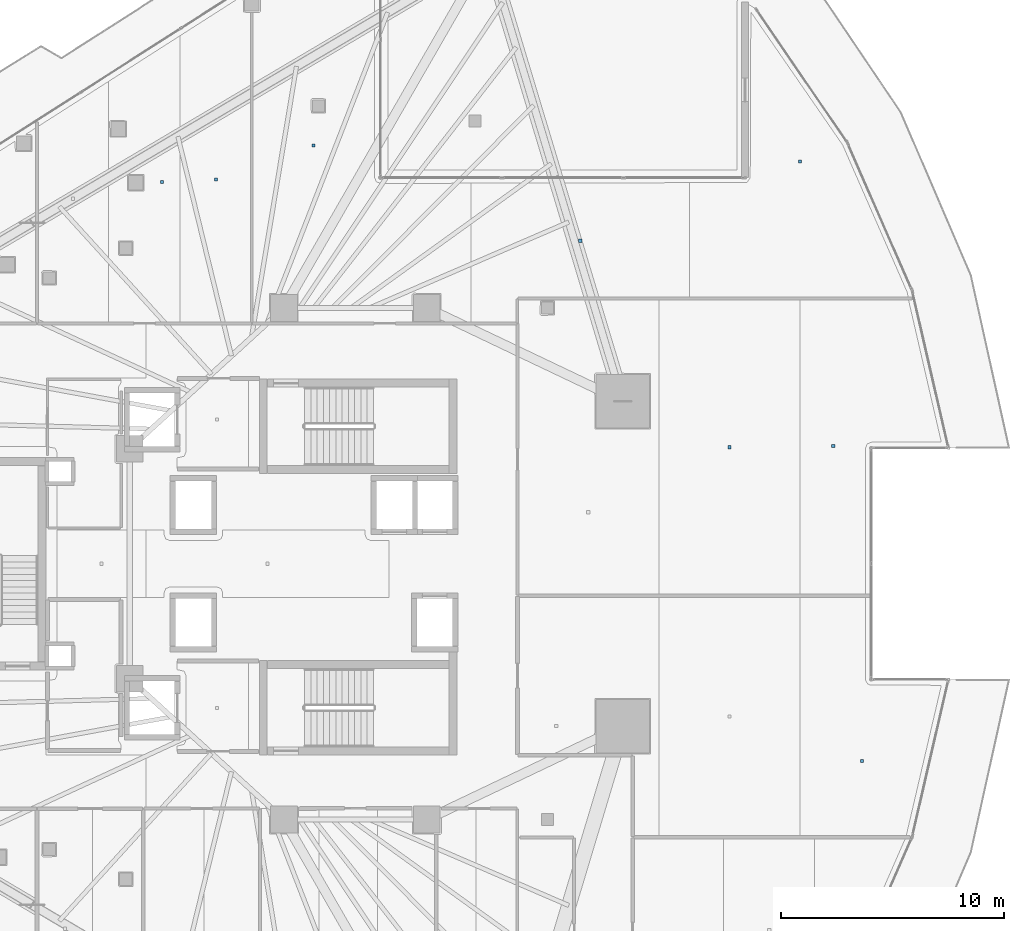
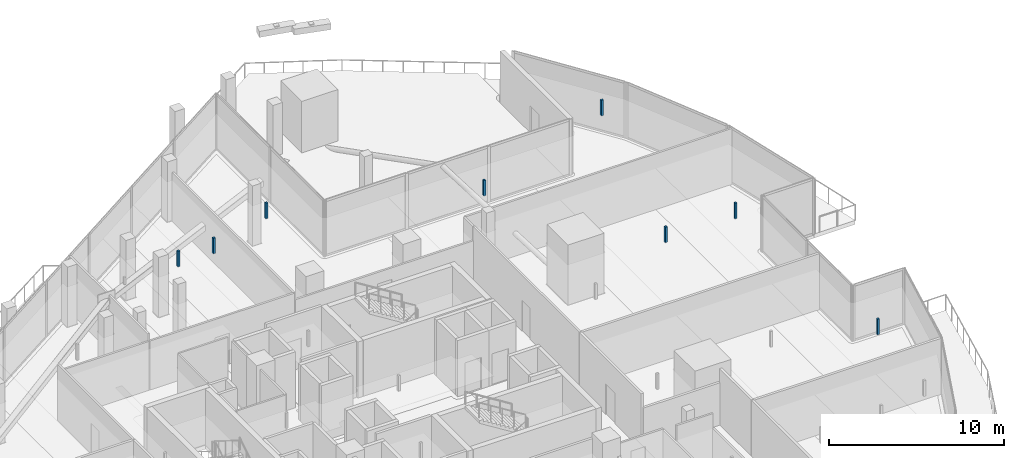
# One storey, part 37 of 47: 8 discrete accessories.
"""IFC4 building model written with IfcOpenShell, lengths in metres."""

from ifc_helpers import new_model, si_unit, direction, frame, origin, origin_2d, place, context, subcontext, project, spatial, rectangle, extrude, material, type_object, element, save


model = new_model("IFC4")

# Units and contexts
model_context = context("Model", 3, precision=1e-05, world=origin(), true_north=direction((0.0, 1.0)))
body_context = subcontext(model_context, "Body", "Model", "MODEL_VIEW")
ifc_project = project(units=[si_unit("LENGTHUNIT", "METRE"), si_unit("AREAUNIT", "SQUARE_METRE"), si_unit("VOLUMEUNIT", "CUBIC_METRE"), si_unit("PLANEANGLEUNIT", "RADIAN"), si_unit("MASSUNIT", "GRAM", prefix="KILO")], contexts=[model_context])

# Site, building, storey
site_placement = place(None, origin())
site = spatial("IfcSite", under=ifc_project, at=site_placement, CompositionType="ELEMENT")
building_placement = place(site_placement, origin())
building = spatial("IfcBuilding", under=site, at=building_placement, Name="Qorvath Tower", CompositionType="ELEMENT")
storey_placement = place(building_placement, frame((0.0, 0.0, 74.39990234375)))
storey = spatial("IfcBuildingStorey", under=building, at=storey_placement, Name="L16", CompositionType="ELEMENT", Elevation=74.39990234375)

# Discrete accessories
ifc_material = material(Name="Galvanised steel bracket", Category="steel")
discrete_accessory_type = type_object("IfcDiscreteAccessoryType", Name="DA-BRACKET", PredefinedType="BRACKET", material=ifc_material)
for number, where, z_axis, x_axis, name in (
    (1, (-29.049072265625, 17.080810546875, 2.85986328125), (0.0, 0.0, 1.0), (1.0, 0.0, 0.0), "Acoustic Ceiling Suspension Hanger T1-L16-009"),
    (2, (-26.639892578125, 17.201416015625, 2.85986328125), (0.0, 0.0, 1.0), (1.0, 0.0, 0.0), "Acoustic Ceiling Suspension Hanger T1-L16-010"),
    (3, (-22.27783203125, 18.728759765625, 2.85986328125), (0.0, 0.0, 1.0), (1.0, 0.0, 0.0), "Acoustic Ceiling Suspension Hanger T1-L16-011"),
    (4, (-10.331787109375, 14.456298828125, 2.85986328125), (0.0, 0.0, 1.0), (1.0, 0.0, 0.0), "Acoustic Ceiling Suspension Hanger T1-L16-012"),
    (5, (-0.492919921875, 18.0107421875, 2.85986328125), (0.0, 0.0, 1.0), (1.0, 0.0, 0.0), "Acoustic Ceiling Suspension Hanger T1-L16-013"),
    (6, (2.273193359375, -8.837646484375, 2.85986328125), (0.0, 0.0, 1.0), (1.0, 0.0, 0.0), "Acoustic Ceiling Suspension Hanger T1-L16-031"),
    (7, (-3.65283203125, 5.216064453125, 2.85986328125), (0.0, 0.0, 1.0), (1.0, 0.0, 0.0), "Acoustic Ceiling Suspension Hanger T1-L16-033"),
    (8, (0.99365234375, 5.274658203125, 2.85986328125), (0.0, 0.0, 1.0), (1.0, 0.0, 0.0), "Acoustic Ceiling Suspension Hanger T1-L16-034"),
):
    element("IfcDiscreteAccessory", number, at=place(storey_placement, frame(where, z_axis=z_axis, x_axis=x_axis)), inside=storey, type_object=discrete_accessory_type, Name=name, PredefinedType="NOTDEFINED", context=body_context, shape_type="SweptSolid", body=[
        extrude(rectangle(XDim=0.139892578125, YDim=0.139892578125, at=origin_2d()), origin(), (0.0, 0.0, 1.0), 1.090087890625),
    ])

save(model, "model.ifc")
